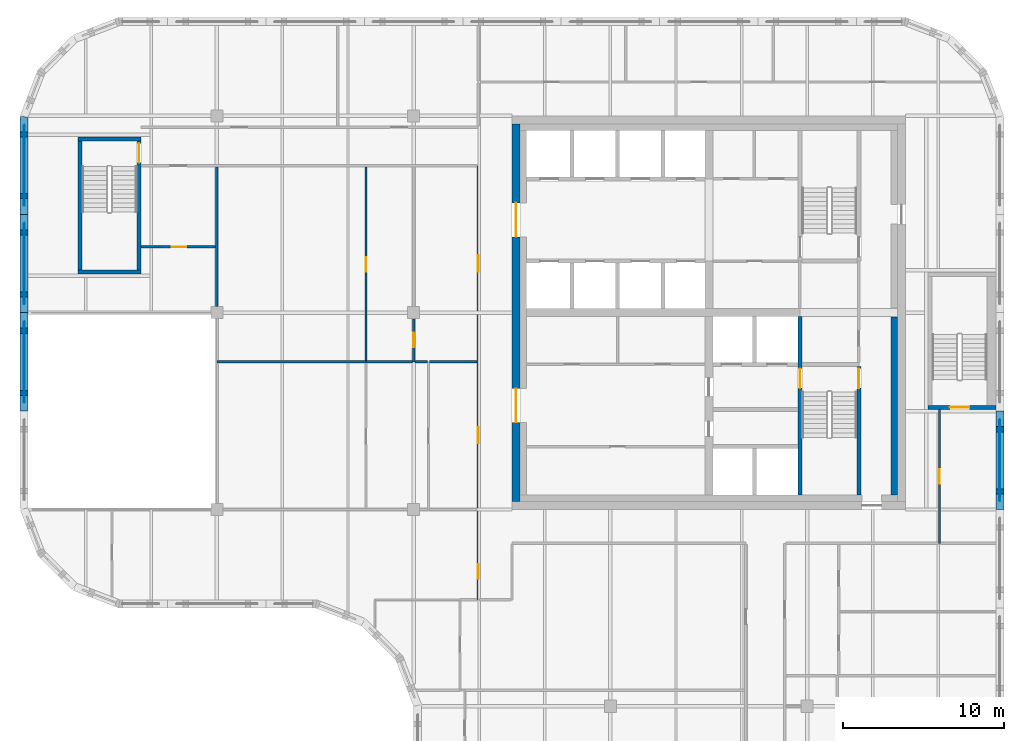
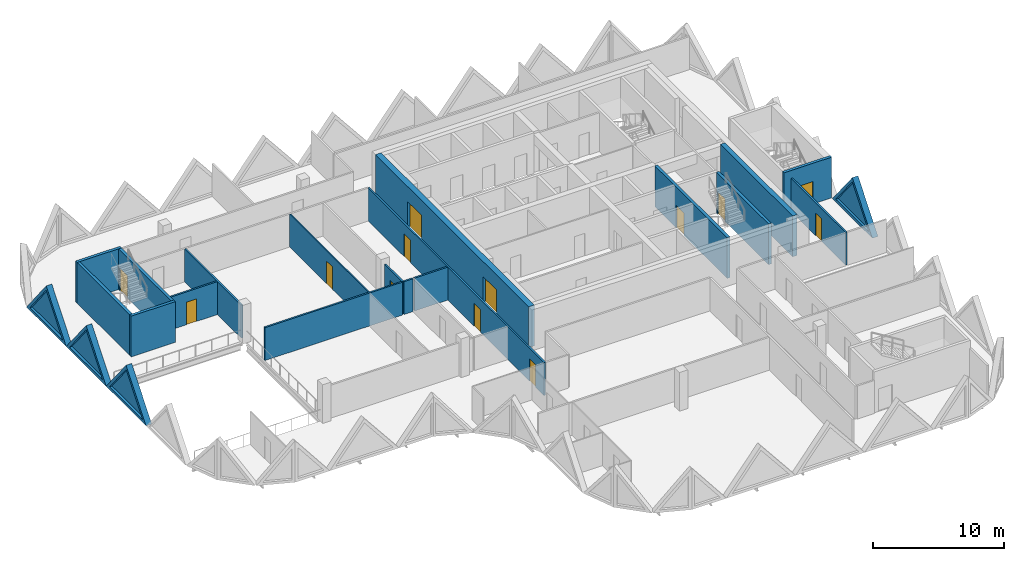
# One storey, part 6 of 11: 22 walls, 13 doors, 4 plates, 17 openings.
"""IFC4 building model written with IfcOpenShell, lengths in metres."""

from ifc_helpers import new_model, si_unit, direction, frame, frame_2d, origin, place, context, subcontext, project, spatial, polyline, rectangle, outline, extrude, faceted_brep, source, transform, mapped, material, layer, layer_set, type_object, element, fill, save


model = new_model("IFC4")

# Units and contexts
model_context = context("Model", 3, precision=1e-05, world=origin(), true_north=direction((0.0, 1.0)))
body_context = subcontext(model_context, "Body", "Model", "MODEL_VIEW")
ifc_project = project(units=[si_unit("LENGTHUNIT", "METRE"), si_unit("AREAUNIT", "SQUARE_METRE"), si_unit("VOLUMEUNIT", "CUBIC_METRE"), si_unit("PLANEANGLEUNIT", "RADIAN"), si_unit("MASSUNIT", "GRAM", prefix="KILO")], contexts=[model_context])

# Site, building, storey
site_placement = place(None, origin())
site = spatial("IfcSite", under=ifc_project, at=site_placement, CompositionType="ELEMENT")
building_placement = place(site_placement, origin())
building = spatial("IfcBuilding", under=site, at=building_placement, Name="Tessera Gate Towers", CompositionType="ELEMENT")
storey_placement = place(building_placement, frame((0.0, 0.0, 197.89990234375)))
storey = spatial("IfcBuildingStorey", under=building, at=storey_placement, Name="L49", CompositionType="ELEMENT", Elevation=197.89990234375)

# Wall, opening, door
ifc_material_1 = material(Name="Concrete C40/50", Category="concrete")
ifc_layer_1 = layer(ifc_material_1, 0.25)
ifc_layer_set_1 = layer_set([ifc_layer_1], Name="CORE ENCLOSURE WALL 250")
wall_type_1 = type_object("IfcWallType", Name="CORE ENCLOSURE WALL 250", PredefinedType="SOLIDWALL", material=ifc_layer_set_1)
wall_1_placement = place(storey_placement, frame((48.35009765625, 36.35009765625, 0.0), z_axis=(0.0, 0.0, 1.0), x_axis=(0.0, -1.0, 0.0)))
wall_1 = element("IfcWall", 1, at=wall_1_placement, inside=storey, type_object=wall_type_1, Name="L49 shaft and stair enclosure wall", PredefinedType="SOLIDWALL", context=body_context, shape_type="SweptSolid", body=[
    extrude(rectangle(XDim=11.050048828125, YDim=0.25, at=frame_2d((5.52490234375, 0.0))), origin(), (0.0, 0.0, 1.0), 3.800048828125),
])
shared_shape_1 = source(origin(), body_context, "Body", "SweptSolid", [
    extrude(rectangle(XDim=1.199951171875, YDim=2.10009765625, at=frame_2d((0.60009765625, 1.050048828125))), frame((0.0, 0.135009765625, 0.0), z_axis=(0.0, -1.0, 0.0), x_axis=(1.0, 0.0, 0.0)), (0.0, 0.0, 1.0), 0.27001953125),
])
opening_1_placement = place(wall_1_placement, frame((3.22509765625, 0.0, 0.0)))
opening_1 = element("IfcOpeningElement", 2, at=opening_1_placement, cuts=wall_1, Name="Opening SD-ST1-1", PredefinedType="OPENING", context=body_context, shape_type="MappedRepresentation", body=[
    mapped(shared_shape_1, transform((0.0, 0.0, 0.0), scale=1.0)),
])
ifc_material_2 = material(Name="Hollow steel fire door", Category="steel")
door_type_1 = type_object("IfcDoorType", Name="CORE DOOR SD 1200x2100", OperationType="NOTDEFINED", PredefinedType="DOOR", material=ifc_material_2)
shared_shape_2 = source(origin(), body_context, "Body", "SweptSolid", [
    extrude(rectangle(XDim=1.199951171875, YDim=2.10009765625, at=frame_2d((0.60009765625, 1.050048828125))), frame((0.0, 0.02490234375, 0.0), z_axis=(0.0, -1.0, 0.0), x_axis=(1.0, 0.0, 0.0)), (0.0, 0.0, 1.0), 0.050048828125),
])
door_1_placement = place(opening_1_placement, origin())
door_1 = element("IfcDoor", 3, at=door_1_placement, inside=storey, type_object=door_type_1, Name="Stair door", OperationType="SINGLE_SWING_LEFT", OverallHeight=2.10009765625, OverallWidth=1.199951171875, PredefinedType="DOOR", context=body_context, shape_type="MappedRepresentation", body=[
    mapped(shared_shape_2, transform((0.0, 0.0, 0.0), scale=1.0)),
])
fill(opening_1, door_1)

wall_2_placement = place(storey_placement, frame((52.0, 25.300048828125, 0.0), z_axis=(0.0, 0.0, 1.0), x_axis=(0.0, 1.0, 0.0)))
wall_2 = element("IfcWall", 4, at=wall_2_placement, inside=storey, type_object=wall_type_1, Name="L49 shaft and stair enclosure wall", PredefinedType="SOLIDWALL", context=body_context, shape_type="SweptSolid", body=[
    extrude(rectangle(XDim=7.974853515625, YDim=0.25, at=frame_2d((3.9873046875, 0.0))), origin(), (0.0, 0.0, 1.0), 3.800048828125),
])
opening_2_placement = place(wall_2_placement, frame((6.625, 0.0, 0.0)))
opening_2 = element("IfcOpeningElement", 5, at=opening_2_placement, cuts=wall_2, Name="Opening SD-ST1-2", PredefinedType="OPENING", context=body_context, shape_type="MappedRepresentation", body=[
    mapped(shared_shape_1, transform((0.0, 0.0, 0.0), scale=1.0)),
])
door_2_placement = place(opening_2_placement, origin())
door_2 = element("IfcDoor", 6, at=door_2_placement, inside=storey, type_object=door_type_1, Name="Stair door", OperationType="SINGLE_SWING_RIGHT", OverallHeight=2.10009765625, OverallWidth=1.199951171875, PredefinedType="DOOR", context=body_context, shape_type="MappedRepresentation", body=[
    mapped(shared_shape_2, transform((0.0, 0.0, 0.0), scale=1.0)),
])
fill(opening_2, door_2)

# Walls
wall_3_placement = place(storey_placement, frame((7.5, 39.125, 0.0), z_axis=(0.0, 0.0, 1.0), x_axis=(-1.0, 0.0, 0.0)))
element("IfcWall", 7, at=wall_3_placement, inside=storey, type_object=wall_type_1, Name="L49 ST3 enclosure wall", PredefinedType="SOLIDWALL", context=body_context, shape_type="SweptSolid", body=[
    extrude(rectangle(XDim=3.89990234375, YDim=0.25, at=frame_2d((1.949951171875, 0.0))), origin(), (0.0, 0.0, 1.0), 3.800048828125),
])
wall_4_placement = place(storey_placement, frame((3.72509765625, 39.25, 0.0), z_axis=(0.0, 0.0, 1.0), x_axis=(0.0, 1.0, 0.0)))
element("IfcWall", 8, at=wall_4_placement, inside=storey, type_object=wall_type_1, Name="L49 ST3 enclosure wall", PredefinedType="SOLIDWALL", context=body_context, shape_type="SweptSolid", body=[
    extrude(rectangle(XDim=8.0, YDim=0.25, at=frame_2d((4.0, 0.0))), origin(), (0.0, 0.0, 1.0), 3.800048828125),
])
wall_5_placement = place(storey_placement, frame((3.60009765625, 47.375, 0.0), z_axis=(0.0, 0.0, 1.0), x_axis=(1.0, 0.0, 0.0)))
element("IfcWall", 9, at=wall_5_placement, inside=storey, type_object=wall_type_1, Name="L49 ST3 enclosure wall", PredefinedType="SOLIDWALL", context=body_context, shape_type="SweptSolid", body=[
    extrude(rectangle(XDim=3.89990234375, YDim=0.25, at=frame_2d((1.949951171875, 0.0))), origin(), (0.0, 0.0, 1.0), 3.800048828125),
])

# Wall, opening, door
wall_6_placement = place(storey_placement, frame((7.375, 47.25, 0.0), z_axis=(0.0, 0.0, 1.0), x_axis=(0.0, -1.0, 0.0)))
wall_6 = element("IfcWall", 10, at=wall_6_placement, inside=storey, type_object=wall_type_1, Name="L49 ST3 enclosure wall", PredefinedType="SOLIDWALL", context=body_context, shape_type="SweptSolid", body=[
    extrude(rectangle(XDim=8.0, YDim=0.25, at=frame_2d((4.0, 0.0))), origin(), (0.0, 0.0, 1.0), 3.800048828125),
])
opening_3_placement = place(wall_6_placement, frame((0.14990234375, 0.0, 0.0)))
opening_3 = element("IfcOpeningElement", 11, at=opening_3_placement, cuts=wall_6, Name="Opening SD-ST3-1", PredefinedType="OPENING", context=body_context, shape_type="MappedRepresentation", body=[
    mapped(shared_shape_1, transform((0.0, 0.0, 0.0), scale=1.0)),
])
door_3_placement = place(opening_3_placement, origin())
door_3 = element("IfcDoor", 12, at=door_3_placement, inside=storey, type_object=door_type_1, Name="Stair door", OperationType="SINGLE_SWING_LEFT", OverallHeight=2.10009765625, OverallWidth=1.199951171875, PredefinedType="DOOR", context=body_context, shape_type="MappedRepresentation", body=[
    mapped(shared_shape_2, transform((0.0, 0.0, 0.0), scale=1.0)),
])
fill(opening_3, door_3)

wall_7_placement = place(storey_placement, frame((60.5, 30.72509765625, 0.0), z_axis=(0.0, 0.0, 1.0), x_axis=(-1.0, 0.0, 0.0)))
wall_7 = element("IfcWall", 13, at=wall_7_placement, inside=storey, type_object=wall_type_1, Name="L49 ST5 enclosure wall", PredefinedType="SOLIDWALL", context=body_context, shape_type="SweptSolid", body=[
    extrude(rectangle(XDim=4.199951171875, YDim=0.25, at=frame_2d((2.10009765625, 0.0))), origin(), (0.0, 0.0, 1.0), 3.800048828125),
])
opening_4_placement = place(wall_7_placement, frame((1.64990234375, 0.0, 0.0)))
opening_4 = element("IfcOpeningElement", 14, at=opening_4_placement, cuts=wall_7, Name="Opening SD-ST5-1", PredefinedType="OPENING", context=body_context, shape_type="MappedRepresentation", body=[
    mapped(shared_shape_1, transform((0.0, 0.0, 0.0), scale=1.0)),
])
door_4_placement = place(opening_4_placement, origin())
door_4 = element("IfcDoor", 15, at=door_4_placement, inside=storey, type_object=door_type_1, Name="Stair door", OperationType="SINGLE_SWING_RIGHT", OverallHeight=2.10009765625, OverallWidth=1.199951171875, PredefinedType="DOOR", context=body_context, shape_type="MappedRepresentation", body=[
    mapped(shared_shape_2, transform((0.0, 0.0, 0.0), scale=1.0)),
])
fill(opening_4, door_4)

# Wall, openings, doors
ifc_material_3 = material(Name="Concrete C50/60", Category="concrete")
ifc_layer_2 = layer(ifc_material_3, 0.5)
ifc_layer_set_2 = layer_set([ifc_layer_2], Name="CORE SHEAR WALL 500 C50/60")
wall_type_2 = type_object("IfcWallType", Name="CORE SHEAR WALL 500 C50/60", PredefinedType="SHEAR", material=ifc_layer_set_2)
wall_8_placement = place(storey_placement, frame((30.75, 24.89990234375, 0.0), z_axis=(0.0, 0.0, 1.0), x_axis=(0.0, 1.0, 0.0)))
wall_8 = element("IfcWall", 16, at=wall_8_placement, inside=storey, type_object=wall_type_2, Name="Core wall W L49", PredefinedType="SHEAR", context=body_context, shape_type="SweptSolid", body=[
    extrude(rectangle(XDim=23.400146484375, YDim=0.5, at=frame_2d((11.7001953125, 0.0))), origin(), (0.0, 0.0, 1.0), 3.800048828125),
])
shared_shape_3 = source(origin(), body_context, "Body", "SweptSolid", [
    extrude(rectangle(XDim=2.10009765625, YDim=2.39990234375, at=frame_2d((1.050048828125, 1.199951171875))), frame((0.0, 0.260009765625, 0.0), z_axis=(0.0, -1.0, 0.0), x_axis=(1.0, 0.0, 0.0)), (0.0, 0.0, 1.0), 0.52001953125),
])
opening_5_placement = place(wall_8_placement, frame((4.89990234375, 0.0, 0.0)))
opening_5 = element("IfcOpeningElement", 17, at=opening_5_placement, cuts=wall_8, Name="Opening DD-T1-31-02", PredefinedType="OPENING", context=body_context, shape_type="MappedRepresentation", body=[
    mapped(shared_shape_3, transform((0.0, 0.0, 0.0), scale=1.0)),
])
opening_6_placement = place(wall_8_placement, frame((16.39990234375, 0.0, 0.0)))
opening_6 = element("IfcOpeningElement", 18, at=opening_6_placement, cuts=wall_8, Name="Opening DD-T1-31-03", PredefinedType="OPENING", context=body_context, shape_type="MappedRepresentation", body=[
    mapped(shared_shape_3, transform((0.0, 0.0, 0.0), scale=1.0)),
])
ifc_material_4 = material(Name="Hollow steel fire door", Category="steel")
door_type_2 = type_object("IfcDoorType", Name="CORE DOOR DD 2100x2400", OperationType="NOTDEFINED", PredefinedType="DOOR", material=ifc_material_4)
shared_shape_4 = source(origin(), body_context, "Body", "SweptSolid", [
    extrude(rectangle(XDim=2.10009765625, YDim=2.39990234375, at=frame_2d((1.050048828125, 1.199951171875))), frame((0.0, 0.02490234375, 0.0), z_axis=(0.0, -1.0, 0.0), x_axis=(1.0, 0.0, 0.0)), (0.0, 0.0, 1.0), 0.050048828125),
])
door_5_placement = place(opening_5_placement, origin())
door_5 = element("IfcDoor", 19, at=door_5_placement, inside=storey, type_object=door_type_2, Name="Core entrance door", OperationType="DOUBLE_DOOR_SINGLE_SWING", OverallHeight=2.39990234375, OverallWidth=2.10009765625, PredefinedType="DOOR", context=body_context, shape_type="MappedRepresentation", body=[
    mapped(shared_shape_4, transform((0.0, 0.0, 0.0), scale=1.0)),
])
fill(opening_5, door_5)
door_6_placement = place(opening_6_placement, origin())
door_6 = element("IfcDoor", 20, at=door_6_placement, inside=storey, type_object=door_type_2, Name="Core entrance door", OperationType="DOUBLE_DOOR_SINGLE_SWING", OverallHeight=2.39990234375, OverallWidth=2.10009765625, PredefinedType="DOOR", context=body_context, shape_type="MappedRepresentation", body=[
    mapped(shared_shape_4, transform((0.0, 0.0, 0.0), scale=1.0)),
])
fill(opening_6, door_6)

# Wall
ifc_material_5 = material(Name="Concrete C50/60", Category="concrete")
ifc_layer_3 = layer(ifc_material_5, 0.39990234375)
ifc_layer_set_3 = layer_set([ifc_layer_3], Name="CORE WALL THICKENING 400")
wall_type_3 = type_object("IfcWallType", Name="CORE WALL THICKENING 400", PredefinedType="SOLIDWALL", material=ifc_layer_set_3)
wall_9_placement = place(storey_placement, frame((54.199951171875, 25.300048828125, 0.0), z_axis=(0.0, 0.0, 1.0), x_axis=(0.0, 1.0, 0.0)))
element("IfcWall", 21, at=wall_9_placement, inside=storey, type_object=wall_type_3, Name="Core wall thickening E L49", PredefinedType="SOLIDWALL", context=body_context, shape_type="SweptSolid", body=[
    extrude(rectangle(XDim=11.02001953125, YDim=0.39990234375, at=frame_2d((5.510009765625, 0.0))), origin(), (0.0, 0.0, 1.0), 3.800048828125),
])

# Wall, openings, doors
ifc_material_6 = material(Name="Gypsum board on steel studs, mineral wool", Category="steel")
ifc_layer_4 = layer(ifc_material_6, 0.14990234375)
ifc_layer_set_4 = layer_set([ifc_layer_4], Name="CORRIDOR WALL 150")
wall_type_4 = type_object("IfcWallType", Name="CORRIDOR WALL 150", PredefinedType="PARTITIONING", material=ifc_layer_set_4)
wall_10_placement = place(storey_placement, frame((28.39990234375, 18.800048828125, 0.0), z_axis=(0.0, 0.0, 1.0), x_axis=(0.0, 1.0, 0.0)))
wall_10 = element("IfcWall", 22, at=wall_10_placement, inside=storey, type_object=wall_type_4, Name="T1-L49-PW-022", PredefinedType="PARTITIONING", context=body_context, shape_type="SweptSolid", body=[
    extrude(rectangle(XDim=26.89990234375, YDim=0.14990234375, at=frame_2d((13.449951171875, 0.0))), origin(), (0.0, 0.0, 1.0), 3.067138671875),
])
shared_shape_5 = source(origin(), body_context, "Body", "SweptSolid", [
    extrude(rectangle(XDim=0.89990234375, YDim=2.10009765625, at=frame_2d((0.449951171875, 1.050048828125))), frame((0.0, 0.0849609375, 0.0), z_axis=(0.0, -1.0, 0.0), x_axis=(1.0, 0.0, 0.0)), (0.0, 0.0, 1.0), 0.169921875),
])
opening_7_placement = place(wall_10_placement, frame((1.300048828125, 0.0, 0.0)))
opening_7 = element("IfcOpeningElement", 23, at=opening_7_placement, cuts=wall_10, Name="Opening D890FD60-A18-01", PredefinedType="OPENING", context=body_context, shape_type="MappedRepresentation", body=[
    mapped(shared_shape_5, transform((0.0, 0.0, 0.0), scale=1.0)),
])
shared_shape_6 = source(origin(), body_context, "Body", "SweptSolid", [
    extrude(rectangle(XDim=1.0, YDim=2.10009765625, at=frame_2d((0.5, 1.050048828125))), frame((0.0, 0.0849609375, 0.0), z_axis=(0.0, -1.0, 0.0), x_axis=(1.0, 0.0, 0.0)), (0.0, 0.0, 1.0), 0.169921875),
])
opening_8_placement = place(wall_10_placement, frame((9.699951171875, 0.0, 0.0)))
opening_8 = element("IfcOpeningElement", 24, at=opening_8_placement, cuts=wall_10, Name="Opening D2100FD60-A18-04", PredefinedType="OPENING", context=body_context, shape_type="MappedRepresentation", body=[
    mapped(shared_shape_6, transform((0.0, 0.0, 0.0), scale=1.0)),
])
opening_9_placement = place(wall_10_placement, frame((20.35009765625, 0.0, 0.0)))
opening_9 = element("IfcOpeningElement", 25, at=opening_9_placement, cuts=wall_10, Name="Opening D2100FD60-A18-06", PredefinedType="OPENING", context=body_context, shape_type="MappedRepresentation", body=[
    mapped(shared_shape_6, transform((0.0, 0.0, 0.0), scale=1.0)),
])
ifc_material_7 = material(Name="Timber door leaf in steel frame", Category="steel")
door_type_3 = type_object("IfcDoorType", Name="CORRIDOR DOOR 900 FD60", OperationType="NOTDEFINED", PredefinedType="DOOR", material=ifc_material_7)
shared_shape_7 = source(origin(), body_context, "Body", "SweptSolid", [
    extrude(rectangle(XDim=0.89990234375, YDim=2.10009765625, at=frame_2d((0.449951171875, 1.050048828125))), frame((0.0, 0.02490234375, 0.0), z_axis=(0.0, -1.0, 0.0), x_axis=(1.0, 0.0, 0.0)), (0.0, 0.0, 1.0), 0.050048828125),
])
door_7_placement = place(opening_7_placement, origin())
door_7 = element("IfcDoor", 26, at=door_7_placement, inside=storey, type_object=door_type_3, Name="T1-L49-PD-001", OperationType="SINGLE_SWING_LEFT", OverallHeight=2.10009765625, OverallWidth=0.89990234375, PredefinedType="DOOR", context=body_context, shape_type="MappedRepresentation", body=[
    mapped(shared_shape_7, transform((0.0, 0.0, 0.0), scale=1.0)),
])
fill(opening_7, door_7)
ifc_material_8 = material(Name="Timber door leaf in steel frame", Category="steel")
door_type_4 = type_object("IfcDoorType", Name="TENANCY ENTRANCE DOOR 1000 FD60", OperationType="NOTDEFINED", PredefinedType="DOOR", material=ifc_material_8)
shared_shape_8 = source(origin(), body_context, "Body", "SweptSolid", [
    extrude(rectangle(XDim=1.0, YDim=2.10009765625, at=frame_2d((0.5, 1.050048828125))), frame((0.0, 0.02490234375, 0.0), z_axis=(0.0, -1.0, 0.0), x_axis=(1.0, 0.0, 0.0)), (0.0, 0.0, 1.0), 0.050048828125),
])
door_8_placement = place(opening_8_placement, origin())
door_8 = element("IfcDoor", 27, at=door_8_placement, inside=storey, type_object=door_type_4, Name="T1-L49-PD-018", OperationType="SINGLE_SWING_LEFT", OverallHeight=2.10009765625, OverallWidth=1.0, PredefinedType="DOOR", context=body_context, shape_type="MappedRepresentation", body=[
    mapped(shared_shape_8, transform((0.0, 0.0, 0.0), scale=1.0)),
])
fill(opening_8, door_8)
door_9_placement = place(opening_9_placement, origin())
door_9 = element("IfcDoor", 28, at=door_9_placement, inside=storey, type_object=door_type_4, Name="T1-L49-PD-024", OperationType="SINGLE_SWING_LEFT", OverallHeight=2.10009765625, OverallWidth=1.0, PredefinedType="DOOR", context=body_context, shape_type="MappedRepresentation", body=[
    mapped(shared_shape_8, transform((0.0, 0.0, 0.0), scale=1.0)),
])
fill(opening_9, door_9)

# Wall, opening, door
wall_11_placement = place(storey_placement, frame((57.0, 30.60009765625, 0.0), z_axis=(0.0, 0.0, 1.0), x_axis=(0.0, -1.0, 0.0)))
wall_11 = element("IfcWall", 29, at=wall_11_placement, inside=storey, type_object=wall_type_4, Name="T1-L49-PW-028", PredefinedType="PARTITIONING", context=body_context, shape_type="SweptSolid", body=[
    extrude(rectangle(XDim=8.300048828125, YDim=0.14990234375, at=frame_2d((4.14990234375, 0.0))), origin(), (0.0, 0.0, 1.0), 3.067138671875),
])
opening_10_placement = place(wall_11_placement, frame((3.699951171875, 0.0, 0.0)))
opening_10 = element("IfcOpeningElement", 30, at=opening_10_placement, cuts=wall_11, Name="Opening D890FD60-A18-02", PredefinedType="OPENING", context=body_context, shape_type="MappedRepresentation", body=[
    mapped(shared_shape_5, transform((0.0, 0.0, 0.0), scale=1.0)),
])
door_10_placement = place(opening_10_placement, origin())
door_10 = element("IfcDoor", 31, at=door_10_placement, inside=storey, type_object=door_type_3, Name="T1-L49-PD-012", OperationType="SINGLE_SWING_RIGHT", OverallHeight=2.10009765625, OverallWidth=0.89990234375, PredefinedType="DOOR", context=body_context, shape_type="MappedRepresentation", body=[
    mapped(shared_shape_7, transform((0.0, 0.0, 0.0), scale=1.0)),
])
fill(opening_10, door_10)

ifc_material_9 = material(Name="Gypsum board on steel studs", Category="steel")
ifc_layer_5 = layer(ifc_material_9, 0.10009765625)
ifc_layer_set_5 = layer_set([ifc_layer_5], Name="PARTITION 100")
wall_type_5 = type_object("IfcWallType", Name="PARTITION 100", PredefinedType="PARTITIONING", material=ifc_layer_set_5)
wall_12_placement = place(storey_placement, frame((21.449951171875, 33.6259765625, 0.0), z_axis=(0.0, 0.0, 1.0), x_axis=(0.0, 1.0, 0.0)))
wall_12 = element("IfcWall", 32, at=wall_12_placement, inside=storey, type_object=wall_type_5, Name="T1-L49-PW-039", PredefinedType="PARTITIONING", context=body_context, shape_type="SweptSolid", body=[
    extrude(rectangle(XDim=11.998046875, YDim=0.10009765625, at=frame_2d((5.9990234375, 0.0))), origin(), (0.0, 0.0, 1.0), 3.067138671875),
])
shared_shape_9 = source(origin(), body_context, "Body", "SweptSolid", [
    extrude(rectangle(XDim=0.89990234375, YDim=2.10009765625, at=frame_2d((0.449951171875, 1.050048828125))), frame((0.0, 0.06005859375, 0.0), z_axis=(0.0, -1.0, 0.0), x_axis=(1.0, 0.0, 0.0)), (0.0, 0.0, 1.0), 0.1201171875),
])
opening_11_placement = place(wall_12_placement, frame((5.5, 0.0, 0.0)))
opening_11 = element("IfcOpeningElement", 33, at=opening_11_placement, cuts=wall_12, Name="Opening D190-A18-08", PredefinedType="OPENING", context=body_context, shape_type="MappedRepresentation", body=[
    mapped(shared_shape_9, transform((0.0, 0.0, 0.0), scale=1.0)),
])
ifc_material_10 = material(Name="Timber door leaf in steel frame", Category="steel")
door_type_5 = type_object("IfcDoorType", Name="INTERNAL DOOR 900 NOT RATED", OperationType="NOTDEFINED", PredefinedType="DOOR", material=ifc_material_10)
door_11_placement = place(opening_11_placement, origin())
door_11 = element("IfcDoor", 34, at=door_11_placement, inside=storey, type_object=door_type_5, Name="T1-L49-PD-023", OperationType="SINGLE_SWING_LEFT", OverallHeight=2.10009765625, OverallWidth=0.89990234375, PredefinedType="DOOR", context=body_context, shape_type="MappedRepresentation", body=[
    mapped(shared_shape_7, transform((0.0, 0.0, 0.0), scale=1.0)),
])
fill(opening_11, door_11)

# Wall
ifc_material_11 = material(Name="Gypsum board on steel studs, mineral wool", Category="steel")
ifc_layer_6 = layer(ifc_material_11, 0.14990234375)
ifc_layer_set_6 = layer_set([ifc_layer_6], Name="TENANCY WALL 150")
wall_type_6 = type_object("IfcWallType", Name="TENANCY WALL 150", PredefinedType="PARTITIONING", material=ifc_layer_set_6)
wall_13_placement = place(storey_placement, frame((12.199951171875, 33.550048828125, 0.0), z_axis=(0.0, 0.0, 1.0), x_axis=(1.0, 0.0, 0.0)))
element("IfcWall", 35, at=wall_13_placement, inside=storey, type_object=wall_type_6, Name="T1-L49-PW-035", PredefinedType="PARTITIONING", context=body_context, shape_type="SweptSolid", body=[
    extrude(rectangle(XDim=12.1240234375, YDim=0.14990234375, at=frame_2d((6.06201171875, 0.0))), origin(), (0.0, 0.0, 1.0), 3.067138671875),
])

# Wall, opening, door
wall_14_placement = place(storey_placement, frame((24.39990234375, 33.550048828125, 0.0), z_axis=(0.0, 0.0, 1.0), x_axis=(0.0, 1.0, 0.0)))
wall_14 = element("IfcWall", 36, at=wall_14_placement, inside=storey, type_object=wall_type_6, Name="T1-L49-PW-036", PredefinedType="PARTITIONING", context=body_context, shape_type="SweptSolid", body=[
    extrude(rectangle(XDim=2.674072265625, YDim=0.14990234375, at=frame_2d((1.3369140625, 0.0))), origin(), (0.0, 0.0, 1.0), 3.067138671875),
])
opening_12_placement = place(wall_14_placement, frame((0.89990234375, 0.0, 0.0)))
opening_12 = element("IfcOpeningElement", 37, at=opening_12_placement, cuts=wall_14, Name="Opening D190-A18-07", PredefinedType="OPENING", context=body_context, shape_type="MappedRepresentation", body=[
    mapped(shared_shape_5, transform((0.0, 0.0, 0.0), scale=1.0)),
])
door_12_placement = place(opening_12_placement, origin())
door_12 = element("IfcDoor", 38, at=door_12_placement, inside=storey, type_object=door_type_5, Name="T1-L49-PD-022", OperationType="SINGLE_SWING_LEFT", OverallHeight=2.10009765625, OverallWidth=0.89990234375, PredefinedType="DOOR", context=body_context, shape_type="MappedRepresentation", body=[
    mapped(shared_shape_7, transform((0.0, 0.0, 0.0), scale=1.0)),
])
fill(opening_12, door_12)

# Walls
wall_15_placement = place(storey_placement, frame((24.47607421875, 33.550048828125, 0.0), z_axis=(0.0, 0.0, 1.0), x_axis=(1.0, 0.0, 0.0)))
element("IfcWall", 39, at=wall_15_placement, inside=storey, type_object=wall_type_6, Name="T1-L49-PW-037", PredefinedType="PARTITIONING", context=body_context, shape_type="SweptSolid", body=[
    extrude(rectangle(XDim=0.77294921875, YDim=0.14990234375, at=frame_2d((0.386474609375, 0.0))), origin(), (0.0, 0.0, 1.0), 3.067138671875),
])
wall_16_placement = place(storey_placement, frame((25.40087890625, 33.550048828125, 0.0), z_axis=(0.0, 0.0, 1.0), x_axis=(1.0, 0.0, 0.0)))
element("IfcWall", 40, at=wall_16_placement, inside=storey, type_object=wall_type_6, Name="T1-L49-PW-038", PredefinedType="PARTITIONING", context=body_context, shape_type="SweptSolid", body=[
    extrude(rectangle(XDim=2.923095703125, YDim=0.14990234375, at=frame_2d((1.46142578125, 0.0))), origin(), (0.0, 0.0, 1.0), 3.067138671875),
])
wall_17_placement = place(storey_placement, frame((12.199951171875, 36.97607421875, 0.0), z_axis=(0.0, 0.0, 1.0), x_axis=(0.0, 1.0, 0.0)))
element("IfcWall", 41, at=wall_17_placement, inside=storey, type_object=wall_type_6, Name="T1-L49-PW-040", PredefinedType="PARTITIONING", context=body_context, shape_type="SweptSolid", body=[
    extrude(rectangle(XDim=8.64794921875, YDim=0.14990234375, at=frame_2d((4.323974609375, 0.0))), origin(), (0.0, 0.0, 1.0), 3.067138671875),
])

# Wall, opening, door
wall_18_placement = place(storey_placement, frame((12.1240234375, 40.675048828125, 0.0), z_axis=(0.0, 0.0, 1.0), x_axis=(-1.0, 0.0, 0.0)))
wall_18 = element("IfcWall", 42, at=wall_18_placement, inside=storey, type_object=wall_type_6, Name="T1-L49-PW-042", PredefinedType="PARTITIONING", context=body_context, shape_type="SweptSolid", body=[
    extrude(rectangle(XDim=4.6240234375, YDim=0.14990234375, at=frame_2d((2.31201171875, 0.0))), origin(), (0.0, 0.0, 1.0), 3.067138671875),
])
opening_13_placement = place(wall_18_placement, frame((1.823974609375, 0.0, 0.0)))
opening_13 = element("IfcOpeningElement", 43, at=opening_13_placement, cuts=wall_18, Name="Opening D190-A18-03", PredefinedType="OPENING", context=body_context, shape_type="MappedRepresentation", body=[
    mapped(shared_shape_5, transform((0.0, 0.0, 0.0), scale=1.0)),
])
door_13_placement = place(opening_13_placement, origin())
door_13 = element("IfcDoor", 44, at=door_13_placement, inside=storey, type_object=door_type_5, Name="T1-L49-PD-005", OperationType="SINGLE_SWING_RIGHT", OverallHeight=2.10009765625, OverallWidth=0.89990234375, PredefinedType="DOOR", context=body_context, shape_type="MappedRepresentation", body=[
    mapped(shared_shape_7, transform((0.0, 0.0, 0.0), scale=1.0)),
])
fill(opening_13, door_13)

# Wall, opening, plate
ifc_material_12 = material(Name="Precast concrete C60/75 white", Category="concrete")
ifc_layer_7 = layer(ifc_material_12, 0.5)
ifc_layer_set_7 = layer_set([ifc_layer_7], Name="TS2 half tessera")
wall_type_7 = type_object("IfcWallType", Name="TS2 half tessera", PredefinedType="SOLIDWALL", material=ifc_layer_set_7)
shared_shape_10 = source(origin(), body_context, "Body", "Brep", [
    faceted_brep([(6.099853515625, -0.25, 0.000244140625), (3.050048828125, -0.25, 3.800048828125), (0.0, -0.25, 0.0), (6.099853515625, -0.25, 0.0), (0.0, 0.25, 0.0), (3.050048828125, 0.25, 3.800048828125), (6.099853515625, 0.25, 0.000244140625), (6.099853515625, 0.25, 0.0)], [[[0, 1, 2, 3]], [[4, 5, 6, 7]], [[6, 5, 1, 0]], [[5, 4, 2, 1]], [[4, 7, 3, 2]], [[3, 7, 6, 0]]]),
])
wall_19_placement = place(storey_placement, frame((0.25, 42.699951171875, 0.0), z_axis=(0.0, 0.0, 1.0), x_axis=(0.0, -1.0, 0.0)))
wall_19 = element("IfcWall", 45, at=wall_19_placement, inside=storey, type_object=wall_type_7, Name="Precast half tessera T1 TS2-0248", PredefinedType="SOLIDWALL", context=body_context, shape_type="MappedRepresentation", body=[
    mapped(shared_shape_10, transform((0.0, 0.0, 0.0), scale=1.0)),
])
shared_shape_11 = source(origin(), body_context, "Body", "SweptSolid", [
    extrude(outline(polyline([(5.578857421875, 0.25), (3.050048828125, 3.400634765625), (0.521240234375, 0.25), (5.578857421875, 0.25)])), frame((0.0, 0.260009765625, 0.0), z_axis=(0.0, -1.0, 0.0), x_axis=(1.0, 0.0, 0.0)), (0.0, 0.0, 1.0), 0.52001953125),
])
opening_14_placement = place(wall_19_placement, origin())
opening_14 = element("IfcOpeningElement", 46, at=opening_14_placement, cuts=wall_19, Name="Opening T1-PL1-0502", PredefinedType="OPENING", context=body_context, shape_type="MappedRepresentation", body=[
    mapped(shared_shape_11, transform((0.0, 0.0, 0.0), scale=1.0)),
])
ifc_material_13 = material(Name="Low-e laminated glass", Category="glass")
ifc_layer_8 = layer(ifc_material_13, 0.06005859375)
ifc_layer_set_8 = layer_set([ifc_layer_8], Name="PL1 triangular pane")
plate_type = type_object("IfcPlateType", Name="PL1 triangular pane", PredefinedType="SHEET", material=ifc_layer_set_8)
shared_shape_12 = source(origin(), body_context, "Body", "SweptSolid", [
    extrude(outline(polyline([(5.578857421875, 0.25), (3.050048828125, 3.400634765625), (0.521240234375, 0.25), (5.578857421875, 0.25)])), frame((0.0, 0.030029296875, 0.0), z_axis=(0.0, -1.0, 0.0), x_axis=(1.0, 0.0, 0.0)), (0.0, 0.0, 1.0), 0.06005859375),
])
plate_1_placement = place(opening_14_placement, origin())
plate_1 = element("IfcPlate", 47, at=plate_1_placement, inside=storey, type_object=plate_type, Name="Glass pane T1 PL1-0502", PredefinedType="SHEET", context=body_context, shape_type="MappedRepresentation", body=[
    mapped(shared_shape_12, transform((0.0, 0.0, 0.0), scale=1.0)),
])
fill(opening_14, plate_1)

shared_shape_13 = source(origin(), body_context, "Body", "SweptSolid", [
    extrude(outline(polyline([(6.10009765625, 0.0), (3.050048828125, 3.800048828125), (0.0, 0.0), (6.10009765625, 0.0)])), frame((0.0, 0.25, 0.0), z_axis=(0.0, -1.0, 0.0), x_axis=(1.0, 0.0, 0.0)), (0.0, 0.0, 1.0), 0.5),
])
wall_20_placement = place(storey_placement, frame((60.75, 24.39990234375, 0.0), z_axis=(0.0, 0.0, 1.0), x_axis=(0.0, 1.0, 0.0)))
wall_20 = element("IfcWall", 48, at=wall_20_placement, inside=storey, type_object=wall_type_7, Name="Precast half tessera T1 TS2-0236", PredefinedType="SOLIDWALL", context=body_context, shape_type="MappedRepresentation", body=[
    mapped(shared_shape_13, transform((0.0, 0.0, 0.0), scale=1.0)),
])
opening_15_placement = place(wall_20_placement, origin())
opening_15 = element("IfcOpeningElement", 49, at=opening_15_placement, cuts=wall_20, Name="Opening T1-PL1-0482", PredefinedType="OPENING", context=body_context, shape_type="MappedRepresentation", body=[
    mapped(shared_shape_11, transform((0.0, 0.0, 0.0), scale=1.0)),
])
plate_2_placement = place(opening_15_placement, origin())
plate_2 = element("IfcPlate", 50, at=plate_2_placement, inside=storey, type_object=plate_type, Name="Glass pane T1 PL1-0482", PredefinedType="SHEET", context=body_context, shape_type="MappedRepresentation", body=[
    mapped(shared_shape_12, transform((0.0, 0.0, 0.0), scale=1.0)),
])
fill(opening_15, plate_2)

wall_21_placement = place(storey_placement, frame((0.25, 36.60009765625, 0.0), z_axis=(0.0, 0.0, 1.0), x_axis=(0.0, -1.0, 0.0)))
wall_21 = element("IfcWall", 51, at=wall_21_placement, inside=storey, type_object=wall_type_7, Name="Precast half tessera T1 TS2-0249", PredefinedType="SOLIDWALL", context=body_context, shape_type="MappedRepresentation", body=[
    mapped(shared_shape_13, transform((0.0, 0.0, 0.0), scale=1.0)),
])
opening_16_placement = place(wall_21_placement, origin())
opening_16 = element("IfcOpeningElement", 52, at=opening_16_placement, cuts=wall_21, Name="Opening T1-PL1-0503", PredefinedType="OPENING", context=body_context, shape_type="MappedRepresentation", body=[
    mapped(shared_shape_11, transform((0.0, 0.0, 0.0), scale=1.0)),
])
plate_3_placement = place(opening_16_placement, origin())
plate_3 = element("IfcPlate", 53, at=plate_3_placement, inside=storey, type_object=plate_type, Name="Glass pane T1 PL1-0503", PredefinedType="SHEET", context=body_context, shape_type="MappedRepresentation", body=[
    mapped(shared_shape_12, transform((0.0, 0.0, 0.0), scale=1.0)),
])
fill(opening_16, plate_3)

shared_shape_14 = source(origin(), body_context, "Body", "Brep", [
    faceted_brep([(6.053466796875, -0.25, 0.0), (3.00341796875, -0.25, 3.800048828125), (0.0, -0.25, 0.0), (0.046630859375, 0.25, 0.058837890625), (3.00341796875, 0.25, 3.800048828125), (6.053466796875, 0.25, 0.0), (0.046630859375, 0.25, 0.0), (0.0, 0.0, 0.0)], [[[0, 1, 2]], [[3, 4, 5, 6]], [[5, 4, 1, 0]], [[4, 3, 7, 2, 1]], [[6, 5, 0, 2, 7]], [[6, 7, 3]]]),
])
wall_22_placement = place(storey_placement, frame((0.25, 48.75341796875, 0.0), z_axis=(0.0, 0.0, 1.0), x_axis=(0.0, -1.0, 0.0)))
wall_22 = element("IfcWall", 54, at=wall_22_placement, inside=storey, type_object=wall_type_7, Name="Precast half tessera T1 TS2-0247", PredefinedType="SOLIDWALL", context=body_context, shape_type="MappedRepresentation", body=[
    mapped(shared_shape_14, transform((0.0, 0.0, 0.0), scale=1.0)),
])
shared_shape_15 = source(origin(), body_context, "Body", "SweptSolid", [
    extrude(outline(polyline([(5.5322265625, 0.25), (3.0048828125, 3.39892578125), (0.516357421875, 0.25), (5.5322265625, 0.25)])), frame((0.0, 0.260009765625, 0.0), z_axis=(0.0, -1.0, 0.0), x_axis=(1.0, 0.0, 0.0)), (0.0, 0.0, 1.0), 0.52001953125),
])
opening_17_placement = place(wall_22_placement, origin())
opening_17 = element("IfcOpeningElement", 55, at=opening_17_placement, cuts=wall_22, Name="Opening T1-PL1-0501", PredefinedType="OPENING", context=body_context, shape_type="MappedRepresentation", body=[
    mapped(shared_shape_15, transform((0.0, 0.0, 0.0), scale=1.0)),
])
shared_shape_16 = source(origin(), body_context, "Body", "SweptSolid", [
    extrude(outline(polyline([(5.5322265625, 0.25), (3.0048828125, 3.39892578125), (0.516357421875, 0.25), (5.5322265625, 0.25)])), frame((0.0, 0.030029296875, 0.0), z_axis=(0.0, -1.0, 0.0), x_axis=(1.0, 0.0, 0.0)), (0.0, 0.0, 1.0), 0.06005859375),
])
plate_4_placement = place(opening_17_placement, origin())
plate_4 = element("IfcPlate", 56, at=plate_4_placement, inside=storey, type_object=plate_type, Name="Glass pane T1 PL1-0501", PredefinedType="SHEET", context=body_context, shape_type="MappedRepresentation", body=[
    mapped(shared_shape_16, transform((0.0, 0.0, 0.0), scale=1.0)),
])
fill(opening_17, plate_4)

save(model, "model.ifc")
